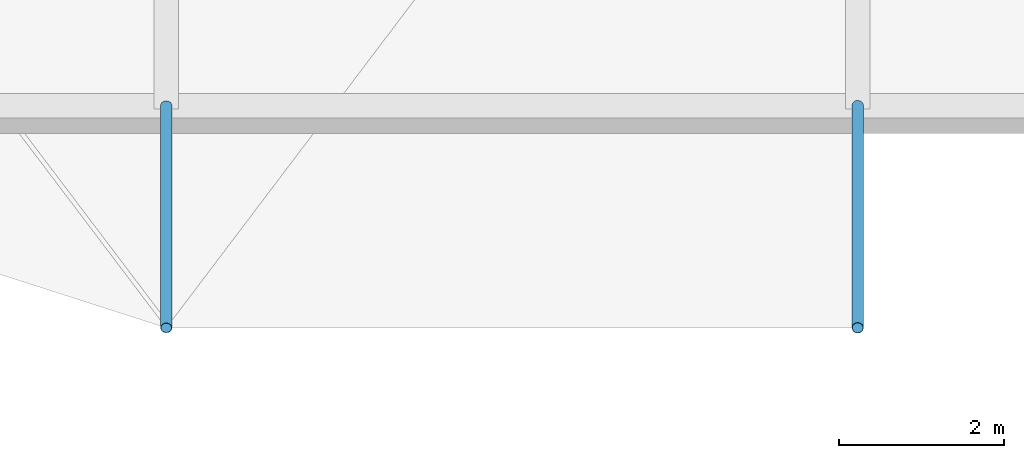
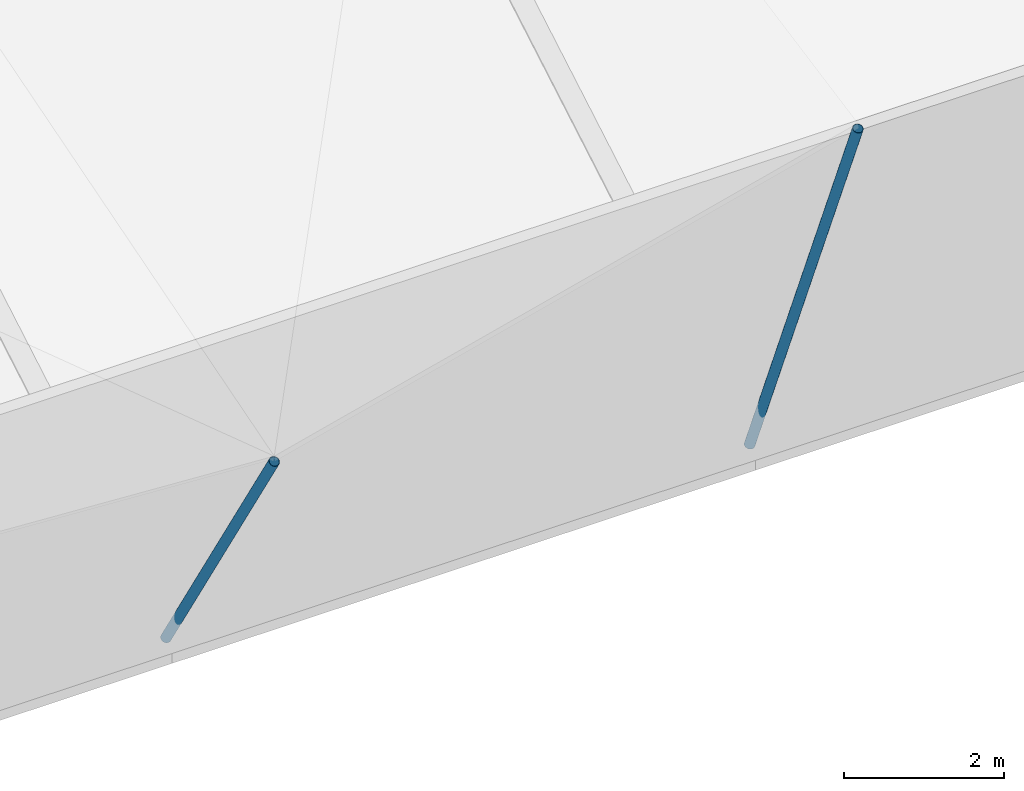
# One storey, part 45 of 111: 2 discrete accessories.
"""IFC4 building model written with IfcOpenShell, lengths in metres."""

from ifc_helpers import new_model, si_unit, direction, frame, origin, origin_2d, place, context, subcontext, project, spatial, hollow_circle, extrude, material, material_profile, profile_set, type_object, element, save


model = new_model("IFC4")

# Units and contexts
model_context = context("Model", 3, precision=1e-05, world=origin(), true_north=direction((0.0, 1.0)))
body_context = subcontext(model_context, "Body", "Model", "MODEL_VIEW")
ifc_project = project(units=[si_unit("LENGTHUNIT", "METRE"), si_unit("AREAUNIT", "SQUARE_METRE"), si_unit("VOLUMEUNIT", "CUBIC_METRE"), si_unit("PLANEANGLEUNIT", "RADIAN"), si_unit("MASSUNIT", "GRAM", prefix="KILO")], contexts=[model_context])

# Site, building, storey
site_placement = place(None, origin())
site = spatial("IfcSite", under=ifc_project, at=site_placement, CompositionType="ELEMENT")
building_placement = place(site_placement, origin())
building = spatial("IfcBuilding", under=site, at=building_placement, Name="Rain Tree Exposition and Congress Centre", CompositionType="ELEMENT")
storey_placement = place(building_placement, frame((0.0, 0.0, 19.5)))
storey = spatial("IfcBuildingStorey", under=building, at=storey_placement, Name="RF", CompositionType="ELEMENT", Elevation=19.5)

# Discrete accessories
ifc_material = material(Name="Steel S355J2H", Category="steel")
ifc_material_profile = material_profile(ifc_material, hollow_circle(Radius=0.06982421875, WallThickness=0.0048828125, at=origin_2d()), Name="CHS 140x5")
ifc_profile_set = profile_set([ifc_material_profile], Name="Steel S355J2H")
discrete_accessory_type = type_object("IfcDiscreteAccessoryType", Name="Roof skin post CHS 140x5", PredefinedType="BRACKET", material=ifc_profile_set)
discrete_accessory_1_placement = place(storey_placement, frame((176.39990234375, 100.800048828125, 0.5), z_axis=(0.0, -0.52992140809, 0.848046756522), x_axis=(1.0, 0.0, 0.0)))
element("IfcDiscreteAccessory", 1, at=discrete_accessory_1_placement, inside=storey, type_object=discrete_accessory_type, Name="Roof skin post B5", PredefinedType="BRACKET", context=body_context, shape_type="SweptSolid", body=[
    extrude(hollow_circle(Radius=0.06982421875, WallThickness=0.0048828125, at=origin_2d()), origin(), (0.0, 0.0, 1.0), 5.094970703125),
])
discrete_accessory_2_placement = place(storey_placement, frame((184.800048828125, 100.800048828125, 0.5), z_axis=(0.0, -0.386308817253, 0.922369501725), x_axis=(1.0, 0.0, 0.0)))
element("IfcDiscreteAccessory", 2, at=discrete_accessory_2_placement, inside=storey, type_object=discrete_accessory_type, Name="Roof skin post B6", PredefinedType="BRACKET", context=body_context, shape_type="SweptSolid", body=[
    extrude(hollow_circle(Radius=0.06982421875, WallThickness=0.0048828125, at=origin_2d()), origin(), (0.0, 0.0, 1.0), 6.989013671875),
])

save(model, "model.ifc")
